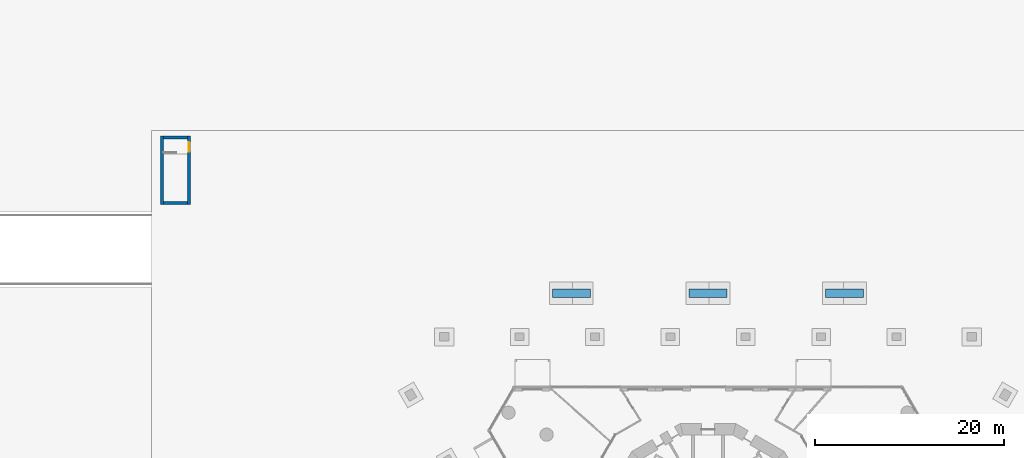
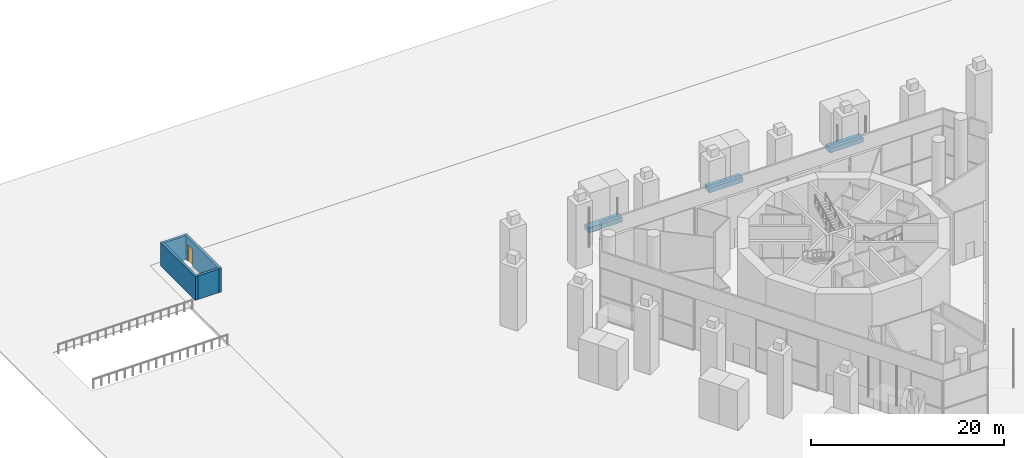
# One storey, part 11 of 26: 7 walls, 1 door, 1 opening.
"""IFC4 building model written with IfcOpenShell, lengths in metres."""

from ifc_helpers import new_model, si_unit, direction, frame, frame_2d, origin, place, context, subcontext, project, spatial, rectangle, extrude, material, layer, layer_set, type_object, element, fill, save


model = new_model("IFC4")

# Units and contexts
model_context = context("Model", 3, precision=1e-05, world=origin(), true_north=direction((0.0, 1.0)))
body_context = subcontext(model_context, "Body", "Model", "MODEL_VIEW")
ifc_project = project(units=[si_unit("LENGTHUNIT", "METRE"), si_unit("AREAUNIT", "SQUARE_METRE"), si_unit("VOLUMEUNIT", "CUBIC_METRE"), si_unit("PLANEANGLEUNIT", "RADIAN"), si_unit("MASSUNIT", "GRAM", prefix="KILO")], contexts=[model_context])

# Site, building, storey
site_placement = place(None, origin())
site = spatial("IfcSite", under=ifc_project, at=site_placement, CompositionType="ELEMENT")
building_placement = place(site_placement, origin())
building = spatial("IfcBuilding", under=site, at=building_placement, Name="Trine Commons Tower", CompositionType="ELEMENT")
storey_placement = place(building_placement, origin())
storey = spatial("IfcBuildingStorey", under=building, at=storey_placement, Name="L00", CompositionType="ELEMENT", Elevation=0.0)

# Walls
ifc_material_1 = material(Name="Planter trough, precast concrete C40/50", Category="concrete")
ifc_layer_1 = layer(ifc_material_1, 0.89990234375)
ifc_layer_set_1 = layer_set([ifc_layer_1], Name="Planter trough, precast concrete C40/50")
wall_type_1 = type_object("IfcWallType", Name="Planter trough 900x600", PredefinedType="PARAPET", material=ifc_layer_set_1)
for number, where, z_axis, x_axis, name in (
    (1, (63.57421875, 87.28466796875, 0.0), (0.0, 0.0, 1.0), (1.0, 0.0, 0.0), "Plaza planter 1"),
    (2, (78.0, 87.28466796875, 0.0), (0.0, 0.0, 1.0), (1.0, 0.0, 0.0), "Plaza planter 2"),
    (3, (92.42578125, 87.28466796875, 0.0), (0.0, 0.0, 1.0), (1.0, 0.0, 0.0), "Plaza planter 3"),
):
    element("IfcWall", number, at=place(storey_placement, frame(where, z_axis=z_axis, x_axis=x_axis)), inside=storey, type_object=wall_type_1, Name=name, PredefinedType="PARAPET", context=body_context, shape_type="SweptSolid", body=[
        extrude(rectangle(XDim=4.0, YDim=0.89990234375, at=frame_2d((2.0, 0.0))), origin(), (0.0, 0.0, 1.0), 0.60009765625),
    ])
ifc_material_2 = material(Name="Concrete C40/50", Category="concrete")
ifc_layer_2 = layer(ifc_material_2, 0.300048828125)
ifc_layer_set_2 = layer_set([ifc_layer_2], Name="Concrete C40/50")
wall_type_2 = type_object("IfcWallType", Name="RC stair enclosure wall 300 mm, C40/50", PredefinedType="SHEAR", material=ifc_layer_set_2)
wall_1_placement = place(storey_placement, frame((22.300048828125, 103.89990234375, 0.0), z_axis=(0.0, 0.0, 1.0), x_axis=(0.0, -1.0, 0.0)))
element("IfcWall", 4, at=wall_1_placement, inside=storey, type_object=wall_type_2, Name="Stair STB3 enclosure wall L00", PredefinedType="SHEAR", context=body_context, shape_type="SweptSolid", body=[
    extrude(rectangle(XDim=7.219970703125, YDim=0.300048828125, at=frame_2d((3.60986328125, 0.0))), origin(), (0.0, 0.0, 1.0), 3.0),
])

# Wall, opening, door
wall_2_placement = place(storey_placement, frame((25.14990234375, 103.89990234375, 0.0), z_axis=(0.0, 0.0, 1.0), x_axis=(0.0, -1.0, 0.0)))
wall_2 = element("IfcWall", 5, at=wall_2_placement, inside=storey, type_object=wall_type_2, Name="Stair STB3 enclosure wall L00", PredefinedType="SHEAR", context=body_context, shape_type="SweptSolid", body=[
    extrude(rectangle(XDim=7.219970703125, YDim=0.300048828125, at=frame_2d((3.60986328125, 0.0))), origin(), (0.0, 0.0, 1.0), 3.0),
])
opening_placement = place(wall_2_placement, frame((0.64990234375, 0.0, 0.0)))
opening = element("IfcOpeningElement", 6, at=opening_placement, cuts=wall_2, Name="Opening D-S09", PredefinedType="OPENING", context=body_context, shape_type="SweptSolid", body=[
    extrude(rectangle(XDim=1.0, YDim=2.10009765625, at=frame_2d((0.5, 1.050048828125))), frame((0.0, 0.159912109375, 0.0), z_axis=(0.0, -1.0, 0.0), x_axis=(1.0, 0.0, 0.0)), (0.0, 0.0, 1.0), 0.320068359375),
])
ifc_material_3 = material(Name="Steel fire door FD90S", Category="steel")
door_type = type_object("IfcDoorType", Name="Fire door 1000 x 2100, FD90S", OperationType="SINGLE_SWING_LEFT", PredefinedType="DOOR", material=ifc_material_3)
door_placement = place(opening_placement, origin())
door = element("IfcDoor", 7, at=door_placement, inside=storey, type_object=door_type, Name="Stair STB3 door L00", OperationType="SINGLE_SWING_LEFT", OverallHeight=2.10009765625, OverallWidth=1.0, PredefinedType="DOOR", context=body_context, shape_type="SweptSolid", body=[
    extrude(rectangle(XDim=1.0, YDim=2.10009765625, at=frame_2d((0.5, 1.050048828125))), frame((0.0, 0.02490234375, 0.0), z_axis=(0.0, -1.0, 0.0), x_axis=(1.0, 0.0, 0.0)), (0.0, 0.0, 1.0), 0.050048828125),
])
fill(opening, door)

# Walls
for number, where, z_axis, x_axis, name in (
    (8, (22.449951171875, 103.75, 0.0), (0.0, 0.0, 1.0), (1.0, 0.0, 0.0), "Stair STB3 enclosure wall L00"),
    (9, (22.449951171875, 96.830078125, 0.0), (0.0, 0.0, 1.0), (1.0, 0.0, 0.0), "Stair STB3 enclosure wall L00"),
):
    element("IfcWall", number, at=place(storey_placement, frame(where, z_axis=z_axis, x_axis=x_axis)), inside=storey, type_object=wall_type_2, Name=name, PredefinedType="SHEAR", context=body_context, shape_type="SweptSolid", body=[
        extrude(rectangle(XDim=2.550048828125, YDim=0.300048828125, at=frame_2d((1.27490234375, 0.0))), origin(), (0.0, 0.0, 1.0), 3.0),
    ])

save(model, "model.ifc")
